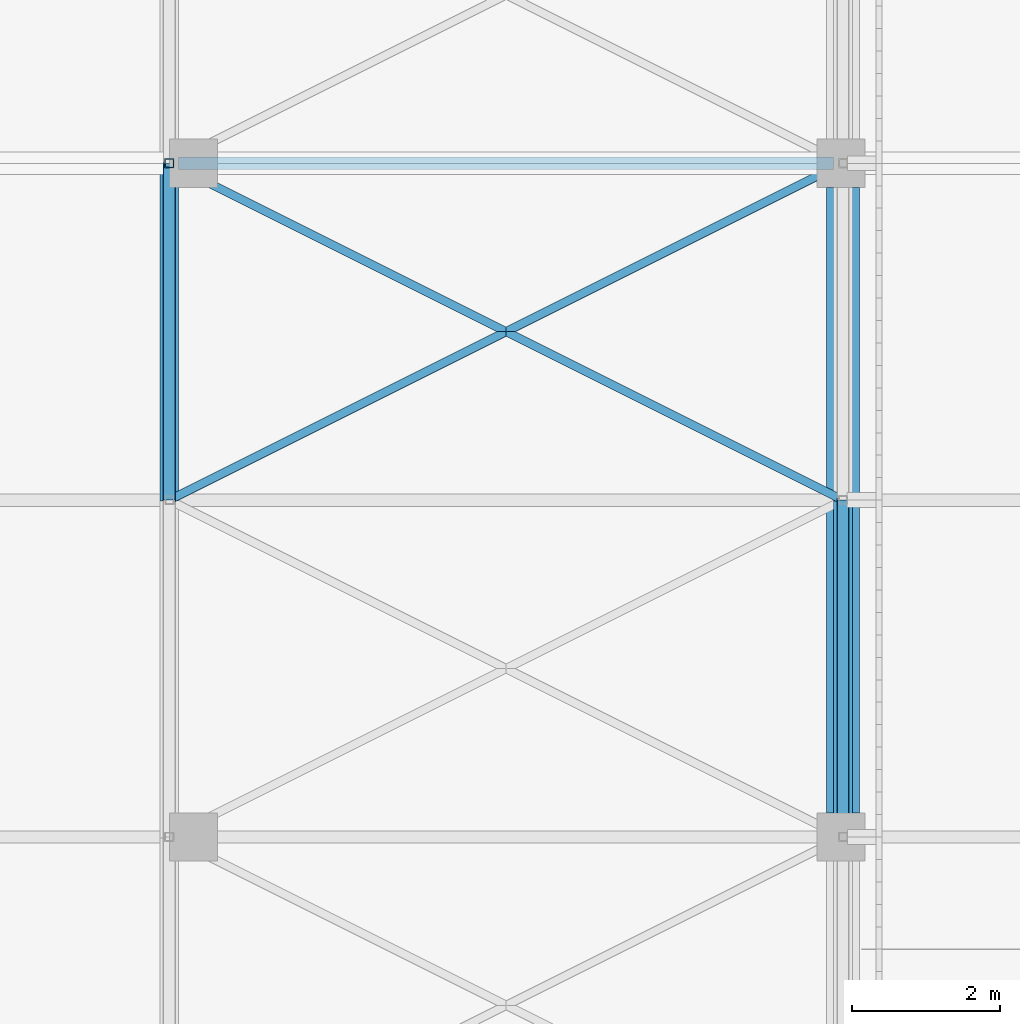
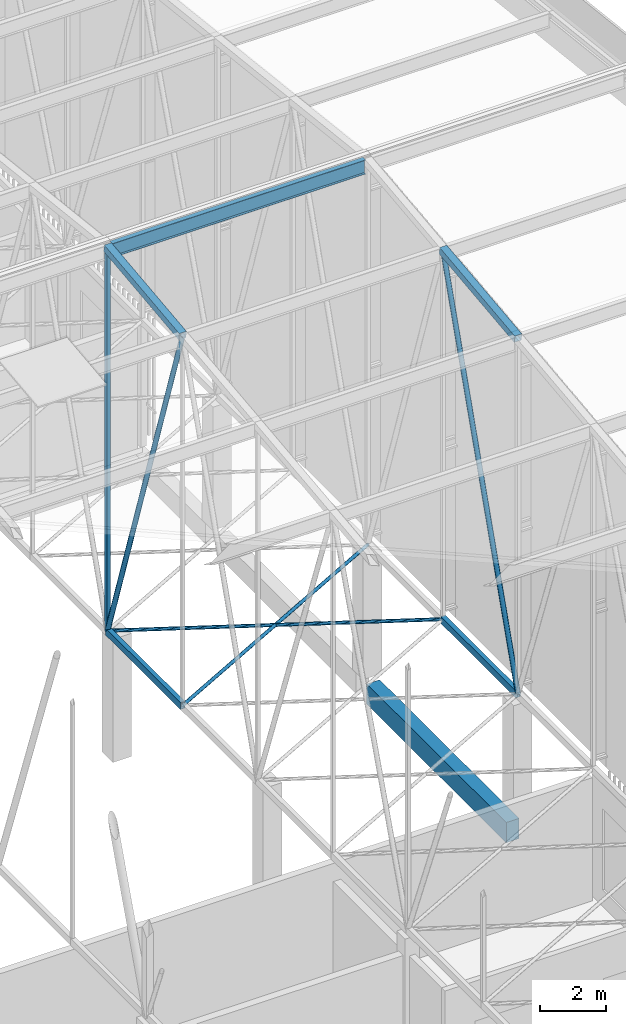
# One storey, part 366 of 500: 10 members, 1 beam.
"""IFC4 building model written with IfcOpenShell, lengths in metres."""

from ifc_helpers import new_model, si_unit, direction, frame, origin, origin_2d, place, context, subcontext, project, spatial, rectangle, hollow_rectangle, hollow_circle, i_section, extrude, material, material_profile, profile_set, type_object, element, save


model = new_model("IFC4")

# Units and contexts
model_context = context("Model", 3, precision=1e-05, world=origin(), true_north=direction((0.0, 1.0)))
body_context = subcontext(model_context, "Body", "Model", "MODEL_VIEW")
ifc_project = project(units=[si_unit("LENGTHUNIT", "METRE"), si_unit("AREAUNIT", "SQUARE_METRE"), si_unit("VOLUMEUNIT", "CUBIC_METRE"), si_unit("PLANEANGLEUNIT", "RADIAN"), si_unit("MASSUNIT", "GRAM", prefix="KILO")], contexts=[model_context])

# Site, building, storey
site_placement = place(None, origin())
site = spatial("IfcSite", under=ifc_project, at=site_placement, CompositionType="ELEMENT")
building_placement = place(site_placement, origin())
building = spatial("IfcBuilding", under=site, at=building_placement, Name="Shirokan Park Arena", CompositionType="ELEMENT")
storey_placement = place(building_placement, frame((0.0, 0.0, 29.1201171875)))
storey = spatial("IfcBuildingStorey", under=building, at=storey_placement, Name="L06", CompositionType="ELEMENT", Elevation=29.1201171875)

# Members
ifc_material_1 = material(Name="Steel ASTM A500 Grade C", Category="steel")
ifc_material_profile_1 = material_profile(ifc_material_1, hollow_rectangle(XDim=0.152099609375, YDim=0.25390625, WallThickness=0.009521484375, at=origin_2d()), Name="HSS254X152.4X9.5")
ifc_profile_set_1 = profile_set([ifc_material_profile_1], Name="Steel ASTM A500 Grade C")
member_type_1 = type_object("IfcMemberType", Name="Bottom chord HSS254X152.4X9.5", PredefinedType="CHORD", material=ifc_profile_set_1)
for number, where, z_axis, x_axis, name in (
    (1, (136.5, 50.050048828125, 4.677001953125), (0.0, 1.0, 0.0), (-1.0, 0.0, 0.0), "Truss T16 bottom chord 14"),
    (2, (145.60009765625, 45.5, 4.677001953125), (0.0, 1.0, 0.0), (-1.0, 0.0, 0.0), "Truss T17 bottom chord 13"),
):
    element("IfcMember", number, at=place(storey_placement, frame(where, z_axis=z_axis, x_axis=x_axis)), inside=storey, type_object=member_type_1, Name=name, PredefinedType="CHORD", context=body_context, shape_type="SweptSolid", body=[
        extrude(hollow_rectangle(XDim=0.152099609375, YDim=0.25390625, WallThickness=0.009521484375, at=origin_2d()), origin(), (0.0, 0.0, 1.0), 4.550048828125),
    ])
ifc_material_profile_2 = material_profile(ifc_material_1, hollow_circle(Radius=0.056884765625, WallThickness=0.006103515625, at=origin_2d()), Name="HSS114.3X6")
ifc_profile_set_2 = profile_set([ifc_material_profile_2], Name="Steel ASTM A500 Grade C")
member_type_2 = type_object("IfcMemberType", Name="Plan bracing HSS114.3X6", PredefinedType="BRACE", material=ifc_profile_set_2)
for number, where, z_axis, x_axis, name in (
    (3, (136.5, 50.050048828125, 4.677001953125), (0.894427191, 0.4472135955, 0.0), (-0.4472135955, 0.894427191, 0.0), "Plan bracing bay 16 panel 14 A"),
    (4, (145.60009765625, 50.050048828125, 4.677001953125), (-0.894427191, 0.4472135955, 0.0), (-0.4472135955, -0.894427191, 0.0), "Plan bracing bay 16 panel 14 B"),
):
    element("IfcMember", number, at=place(storey_placement, frame(where, z_axis=z_axis, x_axis=x_axis)), inside=storey, type_object=member_type_2, Name=name, PredefinedType="BRACE", context=body_context, shape_type="SweptSolid", body=[
        extrude(hollow_circle(Radius=0.056884765625, WallThickness=0.006103515625, at=origin_2d()), origin(), (0.0, 0.0, 1.0), 10.17431640625),
    ])
ifc_material_2 = material(Name="Steel ASTM A992", Category="steel")
ifc_material_profile_3 = material_profile(ifc_material_2, i_section(OverallWidth=0.166015625, OverallDepth=0.528076171875, WebThickness=0.009765625, FlangeThickness=0.013671875, at=origin_2d()), Name="W530X74")
ifc_profile_set_3 = profile_set([ifc_material_profile_3], Name="Steel ASTM A992")
member_type_3 = type_object("IfcMemberType", Name="Purlin W530X74", PredefinedType="PURLIN", material=ifc_profile_set_3)
member_1_placement = place(storey_placement, frame((136.626953125, 54.60009765625, 18.725830078125), z_axis=(1.0, 0.0, 0.0), x_axis=(0.0, 1.0, 0.0)))
element("IfcMember", 5, at=member_1_placement, inside=storey, type_object=member_type_3, Name="Purlin 15 bay 16", PredefinedType="PURLIN", context=body_context, shape_type="SweptSolid", body=[
    extrude(i_section(OverallWidth=0.166015625, OverallDepth=0.528076171875, WebThickness=0.009765625, FlangeThickness=0.013671875, at=origin_2d()), origin(), (0.0, 0.0, 1.0), 8.845947265625),
])

# Beam
ifc_material_3 = material(Name="Concrete C35", Category="concrete")
ifc_material_profile_4 = material_profile(ifc_material_3, rectangle(XDim=0.449951171875, YDim=0.75, at=origin_2d()), Name="450x750")
ifc_profile_set_4 = profile_set([ifc_material_profile_4], Name="Concrete C35")
beam_type = type_object("IfcBeamType", Name="RC girder 450x750", PredefinedType="BEAM", material=ifc_profile_set_4)
beam_placement = place(storey_placement, frame((145.60009765625, 45.8251953125, -0.5751953125), z_axis=(0.0, 1.0, 0.0), x_axis=(-1.0, 0.0, 0.0)))
element("IfcBeam", 6, at=beam_placement, inside=storey, type_object=beam_type, Name="Girder 17F-17G L06", PredefinedType="BEAM", context=body_context, shape_type="SweptSolid", body=[
    extrude(rectangle(XDim=0.449951171875, YDim=0.75, at=origin_2d()), origin(), (0.0, 0.0, 1.0), 8.44970703125),
])

# Members
ifc_material_profile_5 = material_profile(ifc_material_1, hollow_rectangle(XDim=0.25390625, YDim=0.25390625, WallThickness=0.009521484375, at=origin_2d()), Name="HSS254X254X9.5")
ifc_profile_set_5 = profile_set([ifc_material_profile_5], Name="Steel ASTM A500 Grade C")
member_type_4 = type_object("IfcMemberType", Name="Top chord HSS254X254X9.5", PredefinedType="CHORD", material=ifc_profile_set_5)
for number, where, z_axis, x_axis, name in (
    (7, (136.5, 50.050048828125, 18.3427734375), (0.0, 0.993532328996, 0.113549598152), (-1.0, 0.0, 0.0), "Truss T16 top chord 14"),
    (8, (145.60009765625, 45.5, 17.822998046875), (0.0, 0.993538341779, 0.113496975353), (-1.0, 0.0, 0.0), "Truss T17 top chord 13"),
):
    element("IfcMember", number, at=place(storey_placement, frame(where, z_axis=z_axis, x_axis=x_axis)), inside=storey, type_object=member_type_4, Name=name, PredefinedType="CHORD", context=body_context, shape_type="SweptSolid", body=[
        extrude(hollow_rectangle(XDim=0.25390625, YDim=0.25390625, WallThickness=0.009521484375, at=origin_2d()), origin(), (0.0, 0.0, 1.0), 4.57958984375),
    ])
ifc_material_profile_6 = material_profile(ifc_material_1, hollow_circle(Radius=0.083984375, WallThickness=0.009521484375, at=origin_2d()), Name="HSS168.3X9.5")
ifc_profile_set_6 = profile_set([ifc_material_profile_6], Name="Steel ASTM A500 Grade C")
member_type_5 = type_object("IfcMemberType", Name="Truss diagonal HSS168.3X9.5", PredefinedType="BRACE", material=ifc_profile_set_6)
for number, where, z_axis, x_axis, name in (
    (9, (136.5, 50.050048828125, 18.3427734375), (0.0, 0.315902302102, -0.948791723998), (-1.0, 0.0, 0.0), "Truss T16 diagonal 14"),
    (10, (145.60009765625, 45.5, 4.677001953125), (0.0, 0.315902302102, 0.948791723998), (-1.0, 0.0, 0.0), "Truss T17 diagonal 13"),
):
    element("IfcMember", number, at=place(storey_placement, frame(where, z_axis=z_axis, x_axis=x_axis)), inside=storey, type_object=member_type_5, Name=name, PredefinedType="BRACE", context=body_context, shape_type="SweptSolid", body=[
        extrude(hollow_circle(Radius=0.083984375, WallThickness=0.009521484375, at=origin_2d()), origin(), (0.0, 0.0, 1.0), 14.4033203125),
    ])
ifc_material_profile_7 = material_profile(ifc_material_1, hollow_rectangle(XDim=0.126953125, YDim=0.126953125, WallThickness=0.0126953125, at=origin_2d()), Name="HSS127X127X12.7")
ifc_profile_set_7 = profile_set([ifc_material_profile_7], Name="Steel ASTM A500 Grade C")
member_type_6 = type_object("IfcMemberType", Name="Truss post HSS127X127X12.7", PredefinedType="POST", material=ifc_profile_set_7)
member_2_placement = place(storey_placement, frame((136.5, 54.60009765625, 4.677001953125), z_axis=(0.0, 0.0, 1.0), x_axis=(1.0, 0.0, 0.0)))
element("IfcMember", 11, at=member_2_placement, inside=storey, type_object=member_type_6, Name="Truss T16 post 15", PredefinedType="POST", context=body_context, shape_type="SweptSolid", body=[
    extrude(hollow_rectangle(XDim=0.126953125, YDim=0.126953125, WallThickness=0.0126953125, at=origin_2d()), origin(), (0.0, 0.0, 1.0), 14.185791015625),
])

save(model, "model.ifc")
